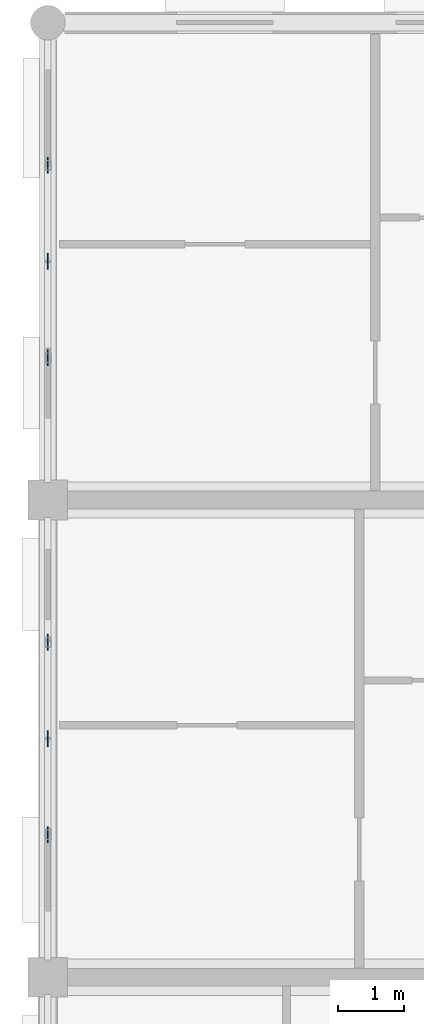
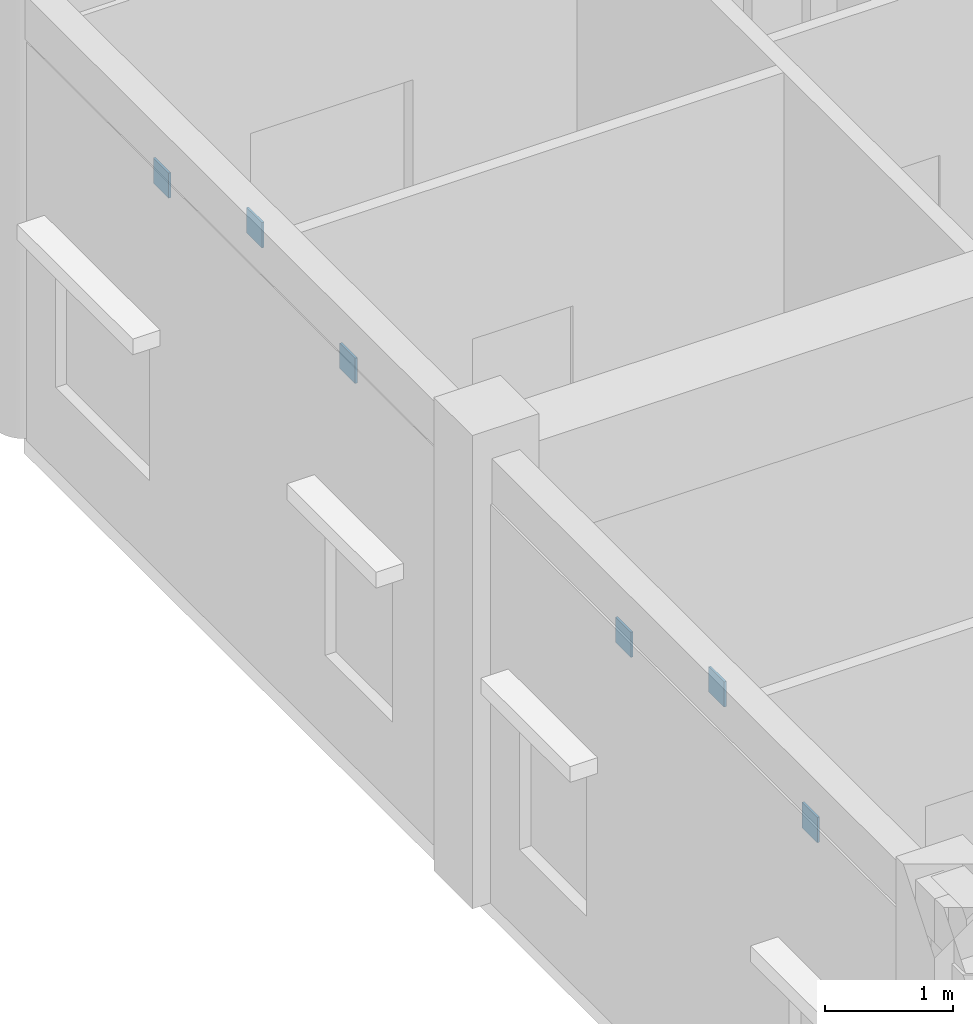
# One storey, part 68 of 138: 6 plates.
"""IFC4 building model written with IfcOpenShell, lengths in metres."""

from ifc_helpers import new_model, si_unit, direction, frame, origin, origin_2d, place, context, subcontext, project, spatial, rectangle, extrude, material, layer, layer_set, type_object, element, save


model = new_model("IFC4")

# Units and contexts
model_context = context("Model", 3, precision=1e-05, world=origin(), true_north=direction((0.0, 1.0)))
body_context = subcontext(model_context, "Body", "Model", "MODEL_VIEW")
ifc_project = project(units=[si_unit("LENGTHUNIT", "METRE"), si_unit("AREAUNIT", "SQUARE_METRE"), si_unit("VOLUMEUNIT", "CUBIC_METRE"), si_unit("PLANEANGLEUNIT", "RADIAN"), si_unit("MASSUNIT", "GRAM", prefix="KILO"), si_unit("THERMODYNAMICTEMPERATUREUNIT", "KELVIN"), si_unit("POWERUNIT", "WATT")], contexts=[model_context])

# Site, building, storey
site_placement = place(None, origin())
site = spatial("IfcSite", under=ifc_project, at=site_placement, CompositionType="ELEMENT")
building_placement = place(site_placement, origin())
building = spatial("IfcBuilding", under=site, at=building_placement, Name="Tavuni Mirador Residences", CompositionType="ELEMENT")
storey_placement = place(building_placement, origin())
storey = spatial("IfcBuildingStorey", under=building, at=storey_placement, Name="L00", CompositionType="ELEMENT", Elevation=0.0)

# Plates
ifc_material = material(Name="Structural steel S355", Category="steel")
ifc_layer = layer(ifc_material, 0.01806640625, Name="Structural steel S355", Category="steel")
ifc_layer_set = layer_set([ifc_layer], Name="Structural steel S355")
plate_type = type_object("IfcPlateType", Name="PLT-GP05", PredefinedType="USERDEFINED", material=ifc_layer_set)
for number, where, z_axis, x_axis, name in (
    (1, (3.60009765625, 38.14794921875, 3.4814453125), (0.0, 0.0, 1.0), (1.0, 0.0, 0.0), "ARCH-BLKA-W-04-GQ1"),
    (2, (3.60009765625, 39.60009765625, 3.89013671875), (0.0, 0.0, 1.0), (1.0, 0.0, 0.0), "ARCH-BLKA-W-04-GCR"),
    (3, (3.60009765625, 41.052001953125, 3.4814453125), (0.0, 0.0, 1.0), (1.0, 0.0, 0.0), "ARCH-BLKA-W-04-GQ2"),
    (4, (3.60009765625, 45.347900390625, 3.4814453125), (0.0, 0.0, 1.0), (1.0, 0.0, 0.0), "ARCH-BLKA-W-05-GQ1"),
    (5, (3.60009765625, 46.800048828125, 3.89013671875), (0.0, 0.0, 1.0), (1.0, 0.0, 0.0), "ARCH-BLKA-W-05-GCR"),
    (6, (3.60009765625, 48.251953125, 3.4814453125), (0.0, 0.0, 1.0), (1.0, 0.0, 0.0), "ARCH-BLKA-W-05-GQ2"),
):
    element("IfcPlate", number, at=place(storey_placement, frame(where, z_axis=z_axis, x_axis=x_axis)), inside=storey, type_object=plate_type, Name=name, ObjectType="GUSSET PLATE", PredefinedType="USERDEFINED", context=body_context, shape_type="SweptSolid", body=[
        extrude(rectangle(XDim=0.02001953125, YDim=0.239990234375, at=origin_2d()), origin(), (0.0, 0.0, 1.0), 0.239990234375),
    ])

save(model, "model.ifc")
